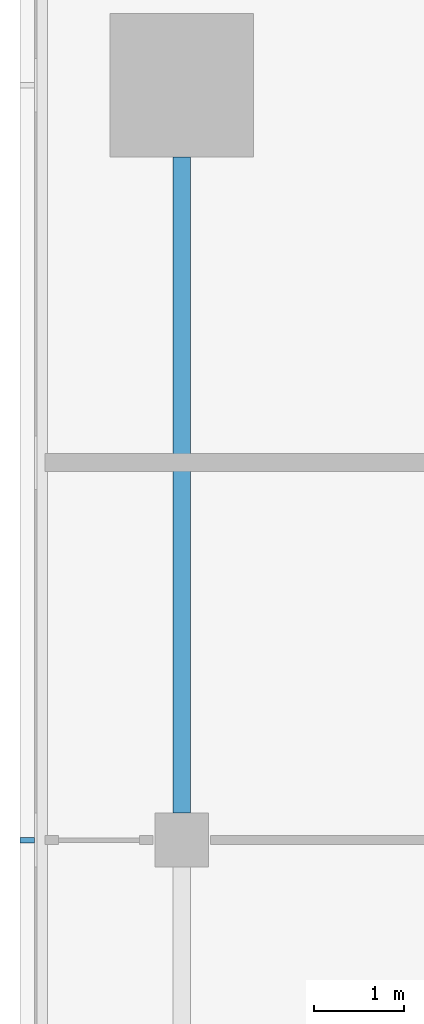
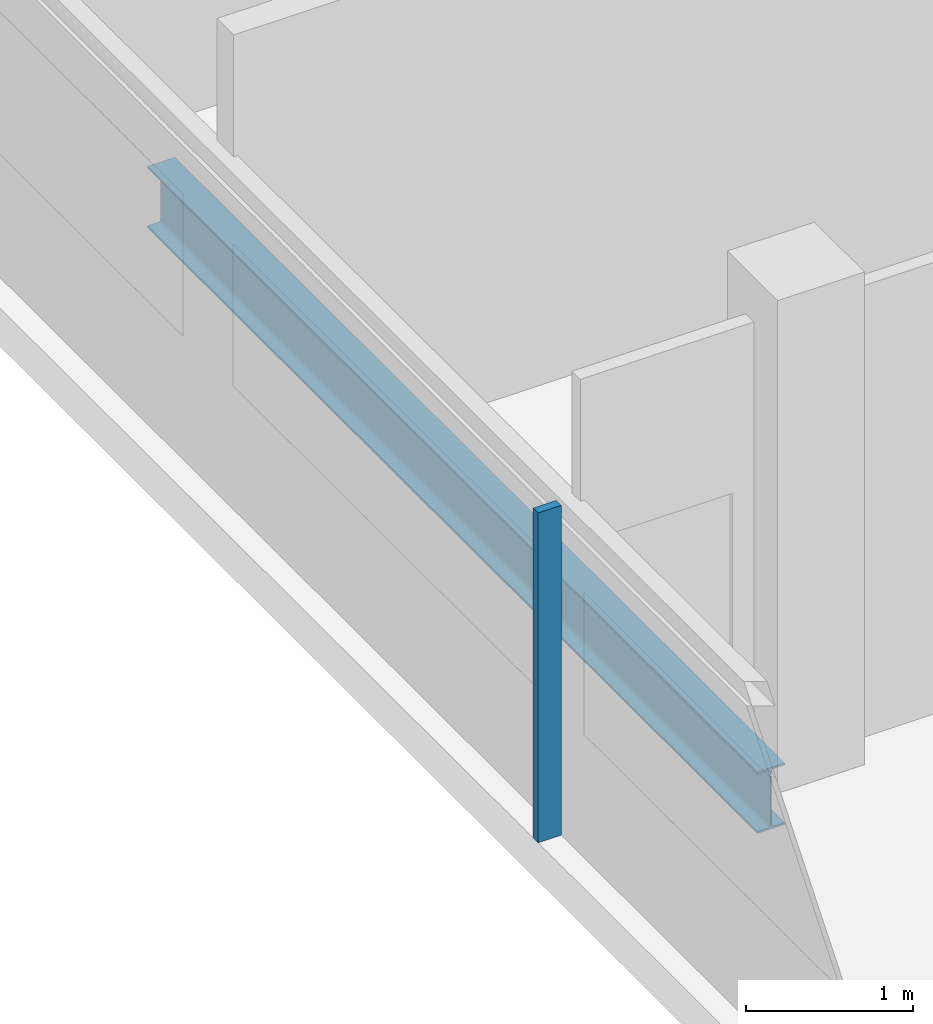
# One storey, part 6 of 25: 1 beam, 1 member, 1 element without a shape of its own.
"""IFC4 building model written with IfcOpenShell, lengths in metres."""

from ifc_helpers import new_model, si_unit, direction, frame, origin, origin_2d, place, context, subcontext, project, spatial, rectangle, i_section, extrude, material, material_profile, profile_set, type_object, element, aggregate, save


model = new_model("IFC4")

# Units and contexts
model_context = context("Model", 3, precision=1e-05, world=origin(), true_north=direction((0.0, 1.0)))
body_context = subcontext(model_context, "Body", "Model", "MODEL_VIEW")
ifc_project = project(units=[si_unit("LENGTHUNIT", "METRE"), si_unit("AREAUNIT", "SQUARE_METRE"), si_unit("VOLUMEUNIT", "CUBIC_METRE"), si_unit("PLANEANGLEUNIT", "RADIAN"), si_unit("MASSUNIT", "GRAM", prefix="KILO")], contexts=[model_context])

# Site, building, storey
site_placement = place(None, origin())
site = spatial("IfcSite", under=ifc_project, at=site_placement, CompositionType="ELEMENT")
building_placement = place(site_placement, origin())
building = spatial("IfcBuilding", under=site, at=building_placement, Name="Saffron Gate Tower", CompositionType="ELEMENT")
storey_placement = place(building_placement, frame((0.0, 0.0, 248.699951171875)))
storey = spatial("IfcBuildingStorey", under=building, at=storey_placement, Name="L61", CompositionType="ELEMENT", Elevation=248.699951171875)

# Beam
ifc_material_1 = material(Name="Structural steel S355", Category="steel")
ifc_material_profile_1 = material_profile(ifc_material_1, i_section(OverallWidth=0.18994140625, OverallDepth=0.449951171875, WebThickness=0.009521484375, FlangeThickness=0.0146484375, FilletRadius=0.02099609375, at=origin_2d()))
ifc_profile_set_1 = profile_set([ifc_material_profile_1], Name="Structural steel S355")
beam_type = type_object("IfcBeamType", Name="B7 IPE 450", PredefinedType="SPANDREL", material=ifc_profile_set_1)
beam_placement = place(storey_placement, frame((49.800048828125, 57.300048828125, -0.5048828125), z_axis=(0.0, 1.0, 0.0), x_axis=(-1.0, 0.0, 0.0)))
element("IfcBeam", 1, at=beam_placement, inside=storey, type_object=beam_type, Name="B7 SPANDREL BEAM", PredefinedType="SPANDREL", context=body_context, shape_type="SweptSolid", body=[
    extrude(i_section(OverallWidth=0.18994140625, OverallDepth=0.449951171875, WebThickness=0.009521484375, FlangeThickness=0.0146484375, FilletRadius=0.02099609375, at=origin_2d()), origin(), (0.0, 0.0, 1.0), 7.300048828125),
])

# Curtain wall, member
ifc_material_2 = material(Name="Aluminium, bronze anodised", Category="aluminium")
curtain_wall_type = type_object("IfcCurtainWallType", Name="CWS2 curtain wall side facades", PredefinedType="NOTDEFINED", material=ifc_material_2)
curtain_wall_placement = place(storey_placement, origin())
curtain_wall = element("IfcCurtainWall", 2, at=curtain_wall_placement, inside=storey, type_object=curtain_wall_type, Name="CWS2 run 10", PredefinedType="NOTDEFINED")
ifc_material_profile_2 = material_profile(ifc_material_2, rectangle(XDim=0.159912109375, YDim=0.06005859375, at=origin_2d()))
ifc_profile_set_2 = profile_set([ifc_material_profile_2], Name="Aluminium, bronze anodised")
member_type = type_object("IfcMemberType", Name="CWS2 mullion 60x160", PredefinedType="MULLION", material=ifc_profile_set_2)
member_placement = place(storey_placement, frame((48.080078125, 57.0, 0.0), z_axis=(0.0, 0.0, 1.0), x_axis=(1.0, 0.0, 0.0)))
member = element("IfcMember", 3, at=member_placement, type_object=member_type, Name="CWS2 mullion 3", PredefinedType="MULLION", context=body_context, shape_type="SweptSolid", body=[
    extrude(rectangle(XDim=0.159912109375, YDim=0.06005859375, at=origin_2d()), origin(), (0.0, 0.0, 1.0), 2.41015625),
])
aggregate(curtain_wall, [member])

save(model, "model.ifc")
